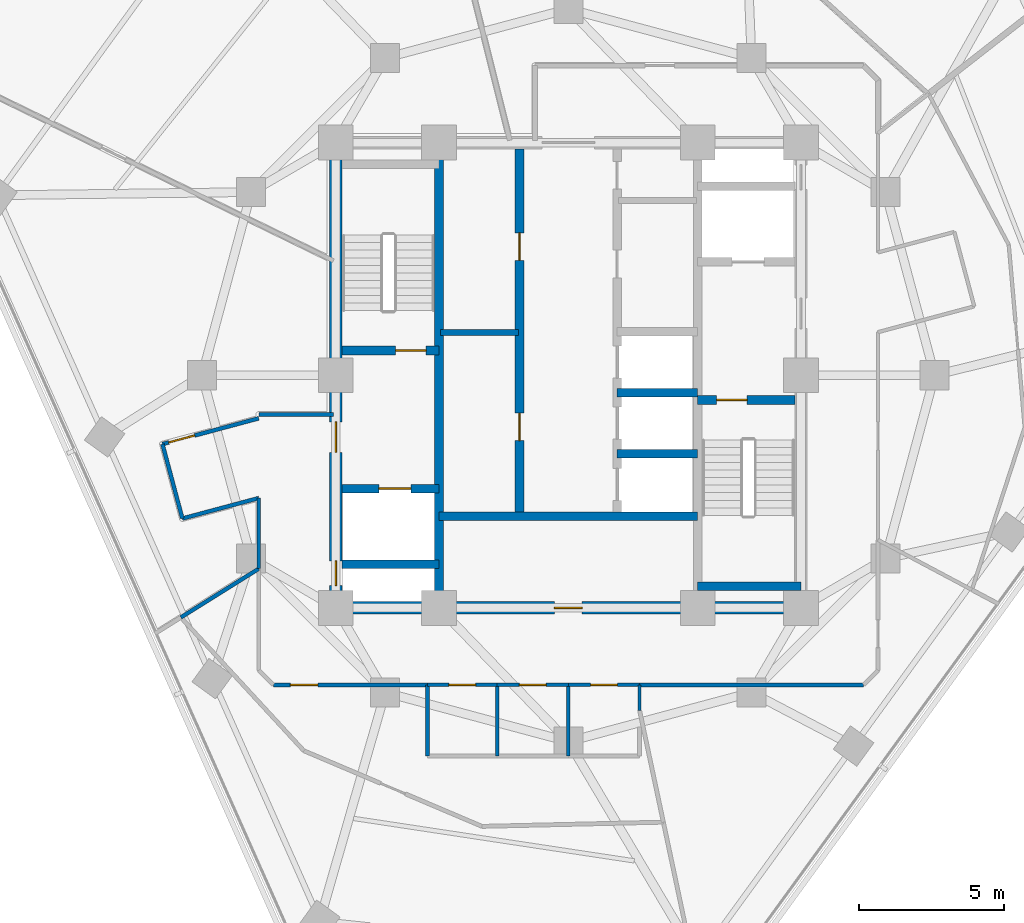
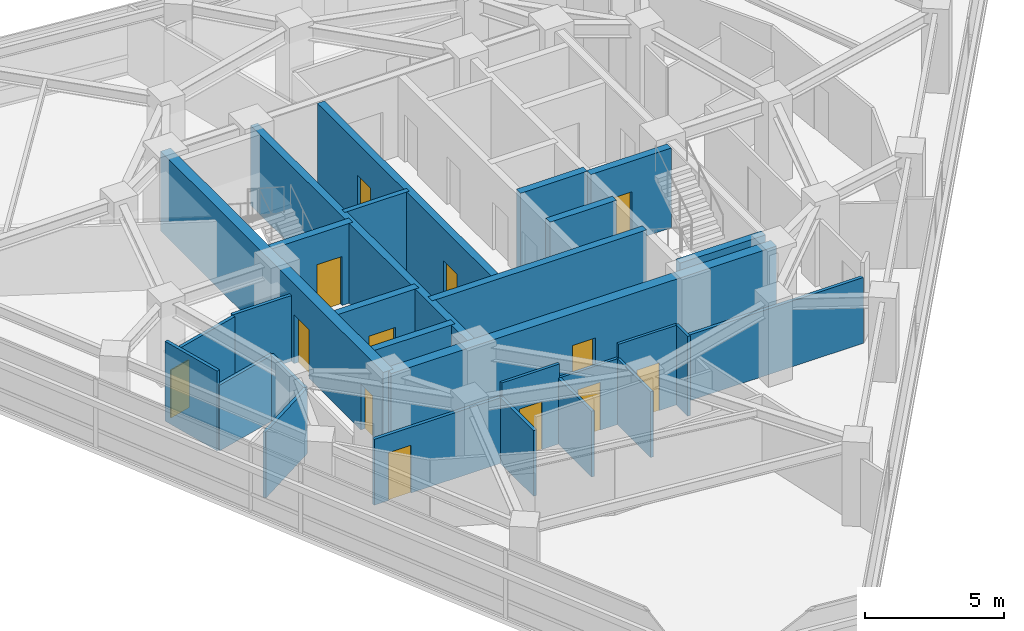
# One storey, part 8 of 14: 28 walls, 13 doors, 13 openings.
"""IFC4 building model written with IfcOpenShell, lengths in metres."""

import ifcopenshell
import ifcopenshell.guid

model = None  # the IFC model being written
_history = None  # IfcOwnerHistory: only IFC2X3 demands one
_inside = {}  # id of a spatial element -> (the spatial element, [elements in it])
_under = {}  # id of a project, library or spatial element -> (it, [spatial elements below it])
_declared = {}  # id of a project -> (the project, [libraries it declares])
_typed = {}  # id of a type object -> (the type object, [elements of that type])
_made_of = {}  # id of a material, layer set ... -> (it, [elements and type objects made of it])


def new_model(schema):
    """Start an empty IFC model of exactly this schema.

    Asked for "IFC4X3", IfcOpenShell would pick the latest addendum, in which some entities
    have other attributes; the version numbers below select the first issue.
    IFC2X3 requires an IfcOwnerHistory on every rooted entity: one is made here for all.
    """
    global model, _history
    if schema == "IFC4X3":
        model = ifcopenshell.file(schema_version=(4, 3, 0, 0))
    else:
        model = ifcopenshell.file(schema=schema)
    _inside.clear()
    _under.clear()
    _declared.clear()
    _typed.clear()
    _made_of.clear()
    _history = None
    if model.schema == "IFC2X3":
        org = make("IfcOrganization", Name="unknown")
        user = make(
            "IfcPersonAndOrganization",
            ThePerson=make("IfcPerson", FamilyName="unknown"),
            TheOrganization=org,
        )
        app = make(
            "IfcApplication",
            ApplicationDeveloper=org,
            Version="unknown",
            ApplicationFullName="unknown",
            ApplicationIdentifier="unknown",
        )
        _history = make(
            "IfcOwnerHistory",
            OwningUser=user,
            OwningApplication=app,
            ChangeAction="ADDED",
            CreationDate=0,
        )
    return model


def make(cls, **values):
    """One entity of the class cls with the attributes given. An attribute that is None is left unset."""
    return model.create_entity(
        cls, **{name: value for name, value in values.items() if value is not None}
    )


def rooted(cls, **values):
    """An entity with a GlobalId (a new one), such as an element, a storey or a relation."""
    return make(cls, GlobalId=ifcopenshell.guid.new(), OwnerHistory=_history, **values)


def si_unit(unit_type, name, prefix=None):
    """IfcSIUnit, for example si_unit("LENGTHUNIT", "METRE", prefix="MILLI")."""
    return make("IfcSIUnit", UnitType=unit_type, Prefix=prefix, Name=name)


def assignment(units):
    """IfcUnitAssignment: the units of a project."""
    return None if units is None else make("IfcUnitAssignment", Units=units)


def point(xyz):
    """IfcCartesianPoint."""
    return None if xyz is None else make("IfcCartesianPoint", Coordinates=xyz)


def direction(xyz):
    """IfcDirection."""
    return None if xyz is None else make("IfcDirection", DirectionRatios=xyz)


def frame(location, z_axis=None, x_axis=None):
    """IfcAxis2Placement3D, a coordinate frame: its origin and axes. An axis left out is left unset."""
    return make(
        "IfcAxis2Placement3D",
        Location=point(location),
        Axis=direction(z_axis),
        RefDirection=direction(x_axis),
    )


def frame_2d(location, x_axis=None):
    """IfcAxis2Placement2D, a coordinate frame in the plane: its origin and x axis."""
    return make(
        "IfcAxis2Placement2D", Location=point(location), RefDirection=direction(x_axis)
    )


def origin():
    """The frame at (0, 0, 0) with its axes left unset."""
    return frame((0.0, 0.0, 0.0))


def place(relative_to, where):
    """IfcLocalPlacement: puts the frame where relative to a parent placement (None: the world)."""
    return make(
        "IfcLocalPlacement", PlacementRelTo=relative_to, RelativePlacement=where
    )


def context(
    kind, dimensions, precision=None, world=None, true_north=None, identifier=None
):
    """IfcGeometricRepresentationContext, for example the 3D "Model" context."""
    return make(
        "IfcGeometricRepresentationContext",
        ContextIdentifier=identifier,
        ContextType=kind,
        CoordinateSpaceDimension=dimensions,
        Precision=precision,
        WorldCoordinateSystem=world,
        TrueNorth=true_north,
    )


def subcontext(parent, identifier, kind, view, scale=None):
    """IfcGeometricRepresentationSubContext, for example "Body" below "Model"."""
    return make(
        "IfcGeometricRepresentationSubContext",
        ContextIdentifier=identifier,
        ContextType=kind,
        ParentContext=parent,
        TargetScale=scale,
        TargetView=view,
    )


def project(units=None, contexts=None):
    """IfcProject with its units and contexts."""
    return rooted(
        "IfcProject",
        Name="project",
        RepresentationContexts=contexts,
        UnitsInContext=assignment(units),
    )


def spatial(cls, under=None, at=None, **own):
    """A site, building, storey or space (cls), placed at a placement, below another one or the project."""
    s = rooted(cls, ObjectPlacement=at, **own)
    if under is not None:
        _under.setdefault(under.id(), (under, []))[1].append(s)
    return s


def profile(cls, at=None, kind="AREA", **sizes):
    """A parametric profile (cls). Its sizes go by their IFC names, for example OverallWidth=200.0."""
    return make(cls, ProfileType=kind, Position=at, **sizes)


def rectangle(**sizes):
    """IfcRectangleProfileDef."""
    return profile("IfcRectangleProfileDef", **sizes)


def extrude(swept, where, along, depth):
    """IfcExtrudedAreaSolid: the profile swept, set in the frame where, extruded along a direction by depth."""
    return make(
        "IfcExtrudedAreaSolid",
        SweptArea=swept,
        Position=where,
        ExtrudedDirection=direction(along),
        Depth=depth,
    )


def shape(context_of_items, identifier, shape_type, items):
    """IfcShapeRepresentation: the items that make up one representation, for example the "Body"."""
    return make(
        "IfcShapeRepresentation",
        ContextOfItems=context_of_items,
        RepresentationIdentifier=identifier,
        RepresentationType=shape_type,
        Items=items,
    )


def material(Name=None, Category=None):
    """IfcMaterial."""
    return make("IfcMaterial", Name=Name, Category=Category)


def layer(
    of_material, thickness, ventilated=None, Name=None, Category=None, Priority=None
):
    """IfcMaterialLayer: one layer of a wall or slab, of a material (None: an air gap)."""
    return make(
        "IfcMaterialLayer",
        Material=of_material,
        LayerThickness=thickness,
        IsVentilated=ventilated,
        Name=Name,
        Category=Category,
        Priority=Priority,
    )


def layer_set(layers, Name=None):
    """IfcMaterialLayerSet."""
    return make("IfcMaterialLayerSet", MaterialLayers=layers, LayerSetName=Name)


def made_of(thing, what):
    """Note that an element or type object is made of a material, layer set ...; save() writes the relation."""
    if what is not None:
        _made_of.setdefault(what.id(), (what, []))[1].append(thing)
    return thing


def type_object(cls, material=None, **own):
    """A type object (cls), such as IfcWallType, which elements share."""
    return made_of(rooted(cls, **own), material)


def element(
    cls,
    number,
    at=None,
    inside=None,
    cuts=None,
    type_object=None,
    material=None,
    context=None,
    identifier="Body",
    shape_type=None,
    held_by="IfcProductDefinitionShape",
    body=None,
    shapes=None,
    **own,
):
    """One element of the class cls, such as IfcWall. Its Tag is "e" and its number.

    at: its placement. inside: the storey or other place that contains it. cuts: it is an
    opening in that element (IfcRelVoidsElement). A single representation is given by context,
    identifier, shape_type and body (its items); several are given by shapes. held_by: the class
    of the entity that holds the representations. save() writes the other relations.
    """
    e = rooted(cls, Tag="e%d" % number, ObjectPlacement=at, **own)
    if body is not None:
        shapes = [shape(context, identifier, shape_type, body)]
    if shapes is not None:
        e.Representation = make(held_by, Representations=shapes)
    if inside is not None:
        _inside.setdefault(inside.id(), (inside, []))[1].append(e)
    if cuts is not None:
        rooted(
            "IfcRelVoidsElement", RelatingBuildingElement=cuts, RelatedOpeningElement=e
        )
    if type_object is not None:
        _typed.setdefault(type_object.id(), (type_object, []))[1].append(e)
    return made_of(e, material)


def fill(opening, filler):
    """IfcRelFillsElement: the door or window that sits in an opening."""
    return rooted(
        "IfcRelFillsElement",
        RelatingOpeningElement=opening,
        RelatedBuildingElement=filler,
    )


def aggregate(whole, parts):
    """IfcRelAggregates: a whole, such as a stair, and the parts it consists of."""
    return rooted("IfcRelAggregates", RelatingObject=whole, RelatedObjects=parts)


def save(model, path):
    """Write the relations noted so far, then the file.

    IfcRelAggregates (storeys below a building ...), IfcRelContainedInSpatialStructure (elements
    in a storey), IfcRelDefinesByType, IfcRelAssociatesMaterial and IfcRelDeclares: one each for
    every whole, place, type object, material and project.
    """
    for whole, parts in _under.values():
        aggregate(whole, parts)
    for where, things in _inside.values():
        rooted(
            "IfcRelContainedInSpatialStructure",
            RelatedElements=things,
            RelatingStructure=where,
        )
    for kind, things in _typed.values():
        rooted("IfcRelDefinesByType", RelatedObjects=things, RelatingType=kind)
    for what, things in _made_of.values():
        rooted("IfcRelAssociatesMaterial", RelatedObjects=things, RelatingMaterial=what)
    for by, libraries in _declared.values():
        rooted("IfcRelDeclares", RelatingContext=by, RelatedDefinitions=libraries)
    model.write(path)


model = new_model("IFC4")

# Units and contexts
model_context = context("Model", 3, precision=1e-05, world=origin(), true_north=direction((0.0, 1.0)))
body_context = subcontext(model_context, "Body", "Model", "MODEL_VIEW")
ifc_project = project(units=[si_unit("LENGTHUNIT", "METRE"), si_unit("AREAUNIT", "SQUARE_METRE"), si_unit("VOLUMEUNIT", "CUBIC_METRE"), si_unit("PLANEANGLEUNIT", "RADIAN"), si_unit("MASSUNIT", "GRAM", prefix="KILO")], contexts=[model_context])

# Site, building, storey
site_placement = place(None, origin())
site = spatial("IfcSite", under=ifc_project, at=site_placement, CompositionType="ELEMENT")
building_placement = place(site_placement, origin())
building = spatial("IfcBuilding", under=site, at=building_placement, Name="Terralouvre Media Tower", CompositionType="ELEMENT")
storey_placement = place(building_placement, frame((0.0, 0.0, 218.89990234375)))
storey = spatial("IfcBuildingStorey", under=building, at=storey_placement, Name="L56", CompositionType="ELEMENT", Elevation=218.89990234375)

# Wall
ifc_material_1 = material(Name="Concrete C50/60", Category="concrete")
ifc_layer_1 = layer(ifc_material_1, 0.300048828125, Name="Core Internal Shaft Wall CW-300")
ifc_layer_set_1 = layer_set([ifc_layer_1], Name="Concrete C50/60")
wall_type_1 = type_object("IfcWallType", Name="Core Internal Shaft Wall CW-300", PredefinedType="SHEAR", material=ifc_layer_set_1)
wall_1_placement = place(storey_placement, frame((-4.449951171875, -7.7900390625, 0.0), z_axis=(0.0, 0.0, 1.0), x_axis=(0.0, 1.0, 0.0)))
element("IfcWall", 1, at=wall_1_placement, inside=storey, type_object=wall_type_1, Name="L56 Core Shaft Wall SPW", PredefinedType="SHEAR", context=body_context, shape_type="SweptSolid", body=[
    extrude(rectangle(XDim=15.580078125, YDim=0.300048828125, at=frame_2d((7.7900390625, 0.0))), origin(), (0.0, 0.0, 1.0), 3.5),
])

# Wall, opening, door
wall_2_placement = place(storey_placement, frame((-7.7900390625, 0.85009765625, 0.0), z_axis=(0.0, 0.0, 1.0), x_axis=(1.0, 0.0, 0.0)))
wall_2 = element("IfcWall", 2, at=wall_2_placement, inside=storey, type_object=wall_type_1, Name="L56 Core Shaft Wall ST1D", PredefinedType="SHEAR", context=body_context, shape_type="SweptSolid", body=[
    extrude(rectangle(XDim=3.340087890625, YDim=0.300048828125, at=frame_2d((1.669921875, 0.0))), origin(), (0.0, 0.0, 1.0), 3.5),
])
opening_1_placement = place(wall_2_placement, frame((1.85009765625, 0.0, 0.0)))
opening_1 = element("IfcOpeningElement", 3, at=opening_1_placement, cuts=wall_2, Name="Opening FD-01-105X215", PredefinedType="OPENING", context=body_context, shape_type="SweptSolid", body=[
    extrude(rectangle(XDim=1.050048828125, YDim=2.14990234375, at=frame_2d((0.52490234375, 1.074951171875))), frame((0.0, 0.159912109375, 0.0), z_axis=(0.0, -1.0, 0.0), x_axis=(1.0, 0.0, 0.0)), (0.0, 0.0, 1.0), 0.320068359375),
])
ifc_material_2 = material(Name="Galvanised steel fire-resisting leaf", Category="steel")
door_type_1 = type_object("IfcDoorType", Name="Stair and Firefighting Lobby Fire Door FD-01 (1050x2150)", OperationType="NOTDEFINED", PredefinedType="DOOR", material=ifc_material_2)
door_1_placement = place(opening_1_placement, origin())
door_1 = element("IfcDoor", 4, at=door_1_placement, inside=storey, type_object=door_type_1, Name="L56 ST-01 Exit Stair Door", OperationType="SINGLE_SWING_LEFT", OverallHeight=2.14990234375, OverallWidth=1.050048828125, PredefinedType="DOOR", context=body_context, shape_type="SweptSolid", body=[
    extrude(rectangle(XDim=1.050048828125, YDim=2.14990234375, at=frame_2d((0.52490234375, 1.074951171875))), frame((0.0, 0.02490234375, 0.0), z_axis=(0.0, -1.0, 0.0), x_axis=(1.0, 0.0, 0.0)), (0.0, 0.0, 1.0), 0.050048828125),
])
fill(opening_1, door_1)

wall_3_placement = place(storey_placement, frame((4.449951171875, -0.85009765625, 0.0), z_axis=(0.0, 0.0, 1.0), x_axis=(1.0, 0.0, 0.0)))
wall_3 = element("IfcWall", 5, at=wall_3_placement, inside=storey, type_object=wall_type_1, Name="L56 Core Shaft Wall ST2D", PredefinedType="SHEAR", context=body_context, shape_type="SweptSolid", body=[
    extrude(rectangle(XDim=3.340087890625, YDim=0.300048828125, at=frame_2d((1.669921875, 0.0))), origin(), (0.0, 0.0, 1.0), 3.5),
])
opening_2_placement = place(wall_3_placement, frame((0.64990234375, 0.0, 0.0)))
opening_2 = element("IfcOpeningElement", 6, at=opening_2_placement, cuts=wall_3, Name="Opening FD-01-105X215", PredefinedType="OPENING", context=body_context, shape_type="SweptSolid", body=[
    extrude(rectangle(XDim=1.050048828125, YDim=2.14990234375, at=frame_2d((0.52490234375, 1.074951171875))), frame((0.0, 0.159912109375, 0.0), z_axis=(0.0, -1.0, 0.0), x_axis=(1.0, 0.0, 0.0)), (0.0, 0.0, 1.0), 0.320068359375),
])
door_2_placement = place(opening_2_placement, origin())
door_2 = element("IfcDoor", 7, at=door_2_placement, inside=storey, type_object=door_type_1, Name="L56 ST-02 Exit Stair Door", OperationType="SINGLE_SWING_RIGHT", OverallHeight=2.14990234375, OverallWidth=1.050048828125, PredefinedType="DOOR", context=body_context, shape_type="SweptSolid", body=[
    extrude(rectangle(XDim=1.050048828125, YDim=2.14990234375, at=frame_2d((0.52490234375, 1.074951171875))), frame((0.0, 0.02490234375, 0.0), z_axis=(0.0, -1.0, 0.0), x_axis=(1.0, 0.0, 0.0)), (0.0, 0.0, 1.0), 0.050048828125),
])
fill(opening_2, door_2)

# Wall
wall_4_placement = place(storey_placement, frame((4.449951171875, -7.260009765625, 0.0), z_axis=(0.0, 0.0, 1.0), x_axis=(1.0, 0.0, 0.0)))
element("IfcWall", 8, at=wall_4_placement, inside=storey, type_object=wall_type_1, Name="L56 Core Shaft Wall ST2F", PredefinedType="SHEAR", context=body_context, shape_type="SweptSolid", body=[
    extrude(rectangle(XDim=3.550048828125, YDim=0.300048828125, at=frame_2d((1.77490234375, 0.0))), origin(), (0.0, 0.0, 1.0), 3.5),
])

# Wall, opening, door
wall_5_placement = place(storey_placement, frame((-7.7900390625, -3.89990234375, 0.0), z_axis=(0.0, 0.0, 1.0), x_axis=(1.0, 0.0, 0.0)))
wall_5 = element("IfcWall", 9, at=wall_5_placement, inside=storey, type_object=wall_type_1, Name="L56 Core Shaft Wall FF1N", PredefinedType="SHEAR", context=body_context, shape_type="SweptSolid", body=[
    extrude(rectangle(XDim=3.340087890625, YDim=0.300048828125, at=frame_2d((1.669921875, 0.0))), origin(), (0.0, 0.0, 1.0), 3.5),
])
opening_3_placement = place(wall_5_placement, frame((1.27001953125, 0.0, 0.0)))
opening_3 = element("IfcOpeningElement", 10, at=opening_3_placement, cuts=wall_5, Name="Opening LD-FF", PredefinedType="OPENING", context=body_context, shape_type="SweptSolid", body=[
    extrude(rectangle(XDim=1.10009765625, YDim=2.10009765625, at=frame_2d((0.550048828125, 1.050048828125))), frame((0.0, 0.159912109375, 0.0), z_axis=(0.0, -1.0, 0.0), x_axis=(1.0, 0.0, 0.0)), (0.0, 0.0, 1.0), 0.320068359375),
])
ifc_material_3 = material(Name="Stainless steel 316 handrail and balustrade", Category="steel")
door_type_2 = type_object("IfcDoorType", Name="Firefighting Lift Sliding Landing Door LD-FF", OperationType="SLIDING_TO_LEFT", PredefinedType="DOOR", material=ifc_material_3)
door_3_placement = place(opening_3_placement, origin())
door_3 = element("IfcDoor", 11, at=door_3_placement, inside=storey, type_object=door_type_2, Name="L56 Firefighting Lift FFL-01 Landing Door", OperationType="SLIDING_TO_LEFT", OverallHeight=2.10009765625, OverallWidth=1.10009765625, PredefinedType="DOOR", context=body_context, shape_type="SweptSolid", body=[
    extrude(rectangle(XDim=1.10009765625, YDim=2.10009765625, at=frame_2d((0.550048828125, 1.050048828125))), frame((0.0, 0.02490234375, 0.0), z_axis=(0.0, -1.0, 0.0), x_axis=(1.0, 0.0, 0.0)), (0.0, 0.0, 1.0), 0.050048828125),
])
fill(opening_3, door_3)

# Walls
wall_6_placement = place(storey_placement, frame((-7.7900390625, -6.5, 0.0), z_axis=(0.0, 0.0, 1.0), x_axis=(1.0, 0.0, 0.0)))
element("IfcWall", 12, at=wall_6_placement, inside=storey, type_object=wall_type_1, Name="L56 Core Shaft Wall FF1S", PredefinedType="SHEAR", context=body_context, shape_type="SweptSolid", body=[
    extrude(rectangle(XDim=3.340087890625, YDim=0.300048828125, at=frame_2d((1.669921875, 0.0))), origin(), (0.0, 0.0, 1.0), 3.5),
])
wall_7_placement = place(storey_placement, frame((-4.449951171875, -4.85009765625, 0.0), z_axis=(0.0, 0.0, 1.0), x_axis=(1.0, 0.0, 0.0)))
element("IfcWall", 13, at=wall_7_placement, inside=storey, type_object=wall_type_1, Name="L56 Core Shaft Wall CSBN", PredefinedType="SHEAR", context=body_context, shape_type="SweptSolid", body=[
    extrude(rectangle(XDim=8.89990234375, YDim=0.300048828125, at=frame_2d((4.449951171875, 0.0))), origin(), (0.0, 0.0, 1.0), 3.5),
])

# Wall, openings, doors
wall_8_placement = place(storey_placement, frame((-1.679931640625, -4.85009765625, 0.0), z_axis=(0.0, 0.0, 1.0), x_axis=(0.0, 1.0, 0.0)))
wall_8 = element("IfcWall", 14, at=wall_8_placement, inside=storey, type_object=wall_type_1, Name="L56 Core Shaft Wall LBW", PredefinedType="SHEAR", context=body_context, shape_type="SweptSolid", body=[
    extrude(rectangle(XDim=12.64013671875, YDim=0.300048828125, at=frame_2d((6.320068359375, 0.0))), origin(), (0.0, 0.0, 1.0), 3.5),
])
opening_4_placement = place(wall_8_placement, frame((2.60009765625, 0.0, 0.0)))
opening_4 = element("IfcOpeningElement", 15, at=opening_4_placement, cuts=wall_8, Name="Opening FD-02-95X210", PredefinedType="OPENING", context=body_context, shape_type="SweptSolid", body=[
    extrude(rectangle(XDim=0.949951171875, YDim=2.10009765625, at=frame_2d((0.47509765625, 1.050048828125))), frame((0.0, 0.159912109375, 0.0), z_axis=(0.0, -1.0, 0.0), x_axis=(1.0, 0.0, 0.0)), (0.0, 0.0, 1.0), 0.320068359375),
])
opening_5_placement = place(wall_8_placement, frame((8.800048828125, 0.0, 0.0)))
opening_5 = element("IfcOpeningElement", 16, at=opening_5_placement, cuts=wall_8, Name="Opening FD-04-95X210", PredefinedType="OPENING", context=body_context, shape_type="SweptSolid", body=[
    extrude(rectangle(XDim=0.949951171875, YDim=2.10009765625, at=frame_2d((0.47509765625, 1.050048828125))), frame((0.0, 0.159912109375, 0.0), z_axis=(0.0, -1.0, 0.0), x_axis=(1.0, 0.0, 0.0)), (0.0, 0.0, 1.0), 0.320068359375),
])
ifc_material_4 = material(Name="Galvanised steel fire-resisting leaf", Category="steel")
door_type_3 = type_object("IfcDoorType", Name="Core Store and Service Fire Door FD-04 (950x2100)", OperationType="NOTDEFINED", PredefinedType="DOOR", material=ifc_material_4)
door_4_placement = place(opening_5_placement, origin())
door_4 = element("IfcDoor", 17, at=door_4_placement, inside=storey, type_object=door_type_3, Name="L56 Core Linen Store Door", OperationType="SINGLE_SWING_RIGHT", OverallHeight=2.10009765625, OverallWidth=0.949951171875, PredefinedType="DOOR", context=body_context, shape_type="SweptSolid", body=[
    extrude(rectangle(XDim=0.949951171875, YDim=2.10009765625, at=frame_2d((0.47509765625, 1.050048828125))), frame((0.0, 0.02490234375, 0.0), z_axis=(0.0, -1.0, 0.0), x_axis=(1.0, 0.0, 0.0)), (0.0, 0.0, 1.0), 0.050048828125),
])
fill(opening_5, door_4)
ifc_material_5 = material(Name="Galvanised steel fire-resisting leaf", Category="steel")
door_type_4 = type_object("IfcDoorType", Name="Plant and Riser Fire Door FD-02 (950x2100)", OperationType="NOTDEFINED", PredefinedType="DOOR", material=ifc_material_5)
door_5_placement = place(opening_4_placement, origin())
door_5 = element("IfcDoor", 18, at=door_5_placement, inside=storey, type_object=door_type_4, Name="L56 Core Fibre Patch Plant Door", OperationType="SINGLE_SWING_LEFT", OverallHeight=2.10009765625, OverallWidth=0.949951171875, PredefinedType="DOOR", context=body_context, shape_type="SweptSolid", body=[
    extrude(rectangle(XDim=0.949951171875, YDim=2.10009765625, at=frame_2d((0.47509765625, 1.050048828125))), frame((0.0, 0.02490234375, 0.0), z_axis=(0.0, -1.0, 0.0), x_axis=(1.0, 0.0, 0.0)), (0.0, 0.0, 1.0), 0.050048828125),
])
fill(opening_4, door_5)

# Walls
for number, where, z_axis, x_axis, name in (
    (19, (1.679931640625, -2.699951171875, 0.0), (0.0, 0.0, 1.0), (1.0, 0.0, 0.0), "L56 Core Shaft Wall PLHD1"),
    (20, (1.679931640625, -0.60009765625, 0.0), (0.0, 0.0, 1.0), (1.0, 0.0, 0.0), "L56 Core Shaft Wall PLHD2"),
):
    element("IfcWall", number, at=place(storey_placement, frame(where, z_axis=z_axis, x_axis=x_axis)), inside=storey, type_object=wall_type_1, Name=name, PredefinedType="SHEAR", context=body_context, shape_type="SweptSolid", body=[
        extrude(rectangle(XDim=2.77001953125, YDim=0.300048828125, at=frame_2d((1.385009765625, 0.0))), origin(), (0.0, 0.0, 1.0), 3.5),
    ])

# Wall, openings, doors
ifc_material_6 = material(Name="Concrete C60/75", Category="concrete")
ifc_layer_2 = layer(ifc_material_6, 0.419921875, Name="Core Reinforced Concrete Shear Wall CW-420")
ifc_layer_set_2 = layer_set([ifc_layer_2], Name="Concrete C60/75")
wall_type_2 = type_object("IfcWallType", Name="Core Reinforced Concrete Shear Wall CW-420", PredefinedType="SHEAR", material=ifc_layer_set_2)
wall_9_placement = place(storey_placement, frame((-8.0, -8.0, 0.0), z_axis=(0.0, 0.0, 1.0), x_axis=(0.0, 1.0, 0.0)))
wall_9 = element("IfcWall", 21, at=wall_9_placement, inside=storey, type_object=wall_type_2, Name="L56 W Core Shear Wall", PredefinedType="SHEAR", context=body_context, shape_type="SweptSolid", body=[
    extrude(rectangle(XDim=16.0, YDim=0.419921875, at=frame_2d((8.0, 0.0))), origin(), (0.0, 0.0, 1.0), 3.5),
])
opening_6_placement = place(wall_9_placement, frame((0.76123046875, 0.0, 0.0)))
opening_6 = element("IfcOpeningElement", 22, at=opening_6_placement, cuts=wall_9, Name="Opening TD-R1", PredefinedType="OPENING", context=body_context, shape_type="SweptSolid", body=[
    extrude(rectangle(XDim=0.85009765625, YDim=2.02001953125, at=frame_2d((0.425048828125, 1.010009765625))), frame((0.0, 0.219970703125, 0.0), z_axis=(0.0, -1.0, 0.0), x_axis=(1.0, 0.0, 0.0)), (0.0, 0.0, 1.0), 0.43994140625),
])
opening_7_placement = place(wall_9_placement, frame((5.35009765625, 0.0, 0.0)))
opening_7 = element("IfcOpeningElement", 23, at=opening_7_placement, cuts=wall_9, Name="Opening FD-01-105X215", PredefinedType="OPENING", context=body_context, shape_type="SweptSolid", body=[
    extrude(rectangle(XDim=1.050048828125, YDim=2.14990234375, at=frame_2d((0.52490234375, 1.074951171875))), frame((0.0, 0.219970703125, 0.0), z_axis=(0.0, -1.0, 0.0), x_axis=(1.0, 0.0, 0.0)), (0.0, 0.0, 1.0), 0.43994140625),
])
ifc_material_7 = material(Name="Galvanised steel fire-resisting leaf", Category="steel")
door_type_5 = type_object("IfcDoorType", Name="Riser Inspection Access Trapdoor TD-R1", OperationType="NOTDEFINED", PredefinedType="TRAPDOOR", material=ifc_material_7)
door_6_placement = place(opening_6_placement, origin())
door_6 = element("IfcDoor", 24, at=door_6_placement, inside=storey, type_object=door_type_5, Name="L56 Wet Riser Access Trapdoor", OperationType="SINGLE_SWING_LEFT", OverallHeight=2.02001953125, OverallWidth=0.85009765625, PredefinedType="TRAPDOOR", context=body_context, shape_type="SweptSolid", body=[
    extrude(rectangle(XDim=0.85009765625, YDim=2.02001953125, at=frame_2d((0.425048828125, 1.010009765625))), frame((0.0, 0.02490234375, 0.0), z_axis=(0.0, -1.0, 0.0), x_axis=(1.0, 0.0, 0.0)), (0.0, 0.0, 1.0), 0.050048828125),
])
fill(opening_6, door_6)
door_7_placement = place(opening_7_placement, origin())
door_7 = element("IfcDoor", 25, at=door_7_placement, inside=storey, type_object=door_type_1, Name="L56 West Firefighting Lobby Entry Door", OperationType="SINGLE_SWING_RIGHT", OverallHeight=2.14990234375, OverallWidth=1.050048828125, PredefinedType="DOOR", context=body_context, shape_type="SweptSolid", body=[
    extrude(rectangle(XDim=1.050048828125, YDim=2.14990234375, at=frame_2d((0.52490234375, 1.074951171875))), frame((0.0, 0.02490234375, 0.0), z_axis=(0.0, -1.0, 0.0), x_axis=(1.0, 0.0, 0.0)), (0.0, 0.0, 1.0), 0.050048828125),
])
fill(opening_7, door_7)

# Wall, opening, door
wall_10_placement = place(storey_placement, frame((-8.0, -8.0, 0.0), z_axis=(0.0, 0.0, 1.0), x_axis=(1.0, 0.0, 0.0)))
wall_10 = element("IfcWall", 26, at=wall_10_placement, inside=storey, type_object=wall_type_2, Name="L56 S Core Shear Wall", PredefinedType="SHEAR", context=body_context, shape_type="SweptSolid", body=[
    extrude(rectangle(XDim=16.0, YDim=0.419921875, at=frame_2d((8.0, 0.0))), origin(), (0.0, 0.0, 1.0), 3.5),
])
opening_8_placement = place(wall_10_placement, frame((7.52001953125, 0.0, 0.0)))
opening_8 = element("IfcOpeningElement", 27, at=opening_8_placement, cuts=wall_10, Name="Opening FD-02-95X210", PredefinedType="OPENING", context=body_context, shape_type="SweptSolid", body=[
    extrude(rectangle(XDim=0.949951171875, YDim=2.10009765625, at=frame_2d((0.47509765625, 1.050048828125))), frame((0.0, 0.219970703125, 0.0), z_axis=(0.0, -1.0, 0.0), x_axis=(1.0, 0.0, 0.0)), (0.0, 0.0, 1.0), 0.43994140625),
])
door_8_placement = place(opening_8_placement, origin())
door_8 = element("IfcDoor", 28, at=door_8_placement, inside=storey, type_object=door_type_4, Name="L56 Core Switchgear Plant Door", OperationType="SINGLE_SWING_LEFT", OverallHeight=2.10009765625, OverallWidth=0.949951171875, PredefinedType="DOOR", context=body_context, shape_type="SweptSolid", body=[
    extrude(rectangle(XDim=0.949951171875, YDim=2.10009765625, at=frame_2d((0.47509765625, 1.050048828125))), frame((0.0, 0.02490234375, 0.0), z_axis=(0.0, -1.0, 0.0), x_axis=(1.0, 0.0, 0.0)), (0.0, 0.0, 1.0), 0.050048828125),
])
fill(opening_8, door_8)

# Walls
ifc_material_8 = material(Name="Fire-rated gypsum board drywall partition")
ifc_layer_3 = layer(ifc_material_8, 0.199951171875, Name="Fire-Rated Shaft and Lobby Partition FW-200")
ifc_layer_set_3 = layer_set([ifc_layer_3], Name="Fire-rated gypsum board drywall partition")
wall_type_3 = type_object("IfcWallType", Name="Fire-Rated Shaft and Lobby Partition FW-200", PredefinedType="SOLIDWALL", material=ifc_layer_set_3)
wall_11_placement = place(storey_placement, frame((-4.39990234375, 1.469970703125, 0.0), z_axis=(0.0, 0.0, 1.0), x_axis=(1.0, 0.0, 0.0)))
element("IfcWall", 29, at=wall_11_placement, inside=storey, type_object=wall_type_3, Name="L56 Core West Sub-Partition 1", PredefinedType="SOLIDWALL", context=body_context, shape_type="SweptSolid", body=[
    extrude(rectangle(XDim=2.679931640625, YDim=0.199951171875, at=frame_2d((1.33984375, 0.0))), origin(), (0.0, 0.0, 1.0), 3.5),
])
ifc_material_9 = material(Name="Fire-rated gypsum board drywall partition")
ifc_layer_4 = layer(ifc_material_9, 0.135009765625, Name="Newsroom Acoustic Partition PT-135")
ifc_layer_set_4 = layer_set([ifc_layer_4], Name="Fire-rated gypsum board drywall partition")
wall_type_4 = type_object("IfcWallType", Name="Newsroom Acoustic Partition PT-135", PredefinedType="PARTITIONING", material=ifc_layer_set_4)
wall_12_placement = place(storey_placement, frame((-8.080078125, -1.35009765625, 0.0), z_axis=(0.0, 0.0, 1.0), x_axis=(-1.0, 0.0, 0.0)))
element("IfcWall", 30, at=wall_12_placement, inside=storey, type_object=wall_type_4, Name="L56 Interior Partition 001", PredefinedType="PARTITIONING", context=body_context, shape_type="SweptSolid", body=[
    extrude(rectangle(XDim=2.56982421875, YDim=0.135009765625, at=frame_2d((1.284912109375, 0.0))), origin(), (0.0, 0.0, 1.0), 2.885009765625),
])

# Wall, opening, door
wall_13_placement = place(storey_placement, frame((-10.64990234375, -1.48193359375, 0.0), z_axis=(0.0, 0.0, 1.0), x_axis=(-0.965961397105, -0.2586862565, 0.0)))
wall_13 = element("IfcWall", 31, at=wall_13_placement, inside=storey, type_object=wall_type_4, Name="L56 Interior Partition 002", PredefinedType="PARTITIONING", context=body_context, shape_type="SweptSolid", body=[
    extrude(rectangle(XDim=3.4287109375, YDim=0.135009765625, at=frame_2d((1.71435546875, 0.0))), origin(), (0.0, 0.0, 1.0), 2.885009765625),
])
opening_9_placement = place(wall_13_placement, frame((2.282958984375, 0.0, 0.0)))
opening_9 = element("IfcOpeningElement", 32, at=opening_9_placement, cuts=wall_13, Name="Opening ID-03-92X210", PredefinedType="OPENING", context=body_context, shape_type="SweptSolid", body=[
    extrude(rectangle(XDim=0.919921875, YDim=2.10009765625, at=frame_2d((0.4599609375, 1.050048828125))), frame((0.0, 0.077392578125, 0.0), z_axis=(0.0, -1.0, 0.0), x_axis=(1.0, 0.0, 0.0)), (0.0, 0.0, 1.0), 0.155029296875),
])
ifc_material_10 = material(Name="Engineered hardwood acoustic timber leaf", Category="wood")
door_type_6 = type_object("IfcDoorType", Name="Accessible Restroom and Suite Door ID-03 (920x2100)", OperationType="NOTDEFINED", PredefinedType="DOOR", material=ifc_material_10)
door_9_placement = place(opening_9_placement, origin())
door_9 = element("IfcDoor", 33, at=door_9_placement, inside=storey, type_object=door_type_6, Name="L56 Executive Dining Room 1 Door", OperationType="SINGLE_SWING_RIGHT", OverallHeight=2.10009765625, OverallWidth=0.919921875, PredefinedType="DOOR", context=body_context, shape_type="SweptSolid", body=[
    extrude(rectangle(XDim=0.919921875, YDim=2.10009765625, at=frame_2d((0.4599609375, 1.050048828125))), frame((0.0, 0.02490234375, 0.0), z_axis=(0.0, -1.0, 0.0), x_axis=(1.0, 0.0, 0.0)), (0.0, 0.0, 1.0), 0.050048828125),
])
fill(opening_9, door_9)

# Walls
wall_14_placement = place(storey_placement, frame((-13.9619140625, -2.368896484375, 0.0), z_axis=(0.0, 0.0, 1.0), x_axis=(0.258413725385, -0.966034340245, 0.0)))
element("IfcWall", 34, at=wall_14_placement, inside=storey, type_object=wall_type_4, Name="L56 Interior Partition 003", PredefinedType="PARTITIONING", context=body_context, shape_type="SweptSolid", body=[
    extrude(rectangle(XDim=2.650146484375, YDim=0.135009765625, at=frame_2d((1.3251953125, 0.0))), origin(), (0.0, 0.0, 1.0), 3.5),
])
wall_15_placement = place(storey_placement, frame((-13.277099609375, -4.928955078125, 0.0), z_axis=(0.0, 0.0, 1.0), x_axis=(0.965934830229, 0.258785439601, 0.0)))
element("IfcWall", 35, at=wall_15_placement, inside=storey, type_object=wall_type_4, Name="L56 Interior Partition 004", PredefinedType="PARTITIONING", context=body_context, shape_type="SweptSolid", body=[
    extrude(rectangle(XDim=2.719970703125, YDim=0.135009765625, at=frame_2d((1.35986328125, 0.0))), origin(), (0.0, 0.0, 1.0), 2.885009765625),
])
wall_16_placement = place(storey_placement, frame((-10.64990234375, -4.22509765625, 0.0), z_axis=(0.0, 0.0, 1.0), x_axis=(0.0, -1.0, 0.0)))
element("IfcWall", 36, at=wall_16_placement, inside=storey, type_object=wall_type_4, Name="L56 Interior Partition 005", PredefinedType="PARTITIONING", context=body_context, shape_type="SweptSolid", body=[
    extrude(rectangle(XDim=2.429931640625, YDim=0.135009765625, at=frame_2d((1.21484375, 0.0))), origin(), (0.0, 0.0, 1.0), 2.885009765625),
])

# Wall, opening, door
wall_17_placement = place(storey_placement, frame((-10.14990234375, -10.64990234375, 0.0), z_axis=(0.0, 0.0, 1.0), x_axis=(1.0, 0.0, 0.0)))
wall_17 = element("IfcWall", 37, at=wall_17_placement, inside=storey, type_object=wall_type_4, Name="L56 Interior Partition 013", PredefinedType="PARTITIONING", context=body_context, shape_type="SweptSolid", body=[
    extrude(rectangle(XDim=5.2998046875, YDim=0.135009765625, at=frame_2d((2.64990234375, 0.0))), origin(), (0.0, 0.0, 1.0), 2.885009765625),
])
opening_10_placement = place(wall_17_placement, frame((0.5849609375, 0.0, 0.0)))
opening_10 = element("IfcOpeningElement", 38, at=opening_10_placement, cuts=wall_17, Name="Opening ID-02-95X210", PredefinedType="OPENING", context=body_context, shape_type="SweptSolid", body=[
    extrude(rectangle(XDim=0.949951171875, YDim=2.10009765625, at=frame_2d((0.47509765625, 1.050048828125))), frame((0.0, 0.077392578125, 0.0), z_axis=(0.0, -1.0, 0.0), x_axis=(1.0, 0.0, 0.0)), (0.0, 0.0, 1.0), 0.155029296875),
])
ifc_material_11 = material(Name="Engineered hardwood acoustic timber leaf", Category="wood")
door_type_7 = type_object("IfcDoorType", Name="Office and Meeting Room Door ID-02 (950x2100)", OperationType="NOTDEFINED", PredefinedType="DOOR", material=ifc_material_11)
door_10_placement = place(opening_10_placement, origin())
door_10 = element("IfcDoor", 39, at=door_10_placement, inside=storey, type_object=door_type_7, Name="L56 Sealed Legal Archive Storage 3 Door", OperationType="SINGLE_SWING_RIGHT", OverallHeight=2.10009765625, OverallWidth=0.949951171875, PredefinedType="DOOR", context=body_context, shape_type="SweptSolid", body=[
    extrude(rectangle(XDim=0.949951171875, YDim=2.10009765625, at=frame_2d((0.47509765625, 1.050048828125))), frame((0.0, 0.02490234375, 0.0), z_axis=(0.0, -1.0, 0.0), x_axis=(1.0, 0.0, 0.0)), (0.0, 0.0, 1.0), 0.050048828125),
])
fill(opening_10, door_10)

# Walls
wall_18_placement = place(storey_placement, frame((2.449951171875, -10.64990234375, 0.0), z_axis=(0.0, 0.0, 1.0), x_axis=(1.0, 0.0, 0.0)))
element("IfcWall", 40, at=wall_18_placement, inside=storey, type_object=wall_type_4, Name="L56 Interior Partition 017", PredefinedType="PARTITIONING", context=body_context, shape_type="SweptSolid", body=[
    extrude(rectangle(XDim=7.699951171875, YDim=0.135009765625, at=frame_2d((3.85009765625, 0.0))), origin(), (0.0, 0.0, 1.0), 2.885009765625),
])
wall_19_placement = place(storey_placement, frame((-13.3291015625, -8.3291015625, 0.0), z_axis=(0.0, 0.0, 1.0), x_axis=(0.848059079617, 0.529901686617, 0.0)))
element("IfcWall", 41, at=wall_19_placement, inside=storey, type_object=wall_type_4, Name="L56 Interior Partition 024", PredefinedType="PARTITIONING", context=body_context, shape_type="SweptSolid", body=[
    extrude(rectangle(XDim=3.1591796875, YDim=0.135009765625, at=frame_2d((1.57958984375, 0.0))), origin(), (0.0, 0.0, 1.0), 2.885009765625),
])
wall_20_placement = place(storey_placement, frame((-4.85009765625, -13.10009765625, 0.0), z_axis=(0.0, 0.0, 1.0), x_axis=(0.0, 1.0, 0.0)))
element("IfcWall", 42, at=wall_20_placement, inside=storey, type_object=wall_type_4, Name="L56 Interior Partition 033", PredefinedType="PARTITIONING", context=body_context, shape_type="SweptSolid", body=[
    extrude(rectangle(XDim=2.4501953125, YDim=0.135009765625, at=frame_2d((1.22509765625, 0.0))), origin(), (0.0, 0.0, 1.0), 2.885009765625),
])

# Wall, opening, door
ifc_material_12 = material(Name="Fire-rated gypsum board drywall partition")
ifc_layer_5 = layer(ifc_material_12, 0.114990234375, Name="Restroom and Pantry Partition PT-115")
ifc_layer_set_5 = layer_set([ifc_layer_5], Name="Fire-rated gypsum board drywall partition")
wall_type_5 = type_object("IfcWallType", Name="Restroom and Pantry Partition PT-115", PredefinedType="PARTITIONING", material=ifc_layer_set_5)
wall_21_placement = place(storey_placement, frame((-4.85009765625, -10.64990234375, 0.0), z_axis=(0.0, 0.0, 1.0), x_axis=(1.0, 0.0, 0.0)))
wall_21 = element("IfcWall", 43, at=wall_21_placement, inside=storey, type_object=wall_type_5, Name="L56 Interior Partition 014", PredefinedType="PARTITIONING", context=body_context, shape_type="SweptSolid", body=[
    extrude(rectangle(XDim=2.400146484375, YDim=0.114990234375, at=frame_2d((1.2001953125, 0.0))), origin(), (0.0, 0.0, 1.0), 3.5),
])
opening_11_placement = place(wall_21_placement, frame((0.739990234375, 0.0, 0.0)))
opening_11 = element("IfcOpeningElement", 44, at=opening_11_placement, cuts=wall_21, Name="Opening ID-03-92X210", PredefinedType="OPENING", context=body_context, shape_type="SweptSolid", body=[
    extrude(rectangle(XDim=0.919921875, YDim=2.10009765625, at=frame_2d((0.4599609375, 1.050048828125))), frame((0.0, 0.0673828125, 0.0), z_axis=(0.0, -1.0, 0.0), x_axis=(1.0, 0.0, 0.0)), (0.0, 0.0, 1.0), 0.135009765625),
])
door_11_placement = place(opening_11_placement, origin())
door_11 = element("IfcDoor", 45, at=door_11_placement, inside=storey, type_object=door_type_6, Name="L56 Male Restroom WC Door", OperationType="SINGLE_SWING_LEFT", OverallHeight=2.10009765625, OverallWidth=0.919921875, PredefinedType="DOOR", context=body_context, shape_type="SweptSolid", body=[
    extrude(rectangle(XDim=0.919921875, YDim=2.10009765625, at=frame_2d((0.4599609375, 1.050048828125))), frame((0.0, 0.02490234375, 0.0), z_axis=(0.0, -1.0, 0.0), x_axis=(1.0, 0.0, 0.0)), (0.0, 0.0, 1.0), 0.050048828125),
])
fill(opening_11, door_11)

wall_22_placement = place(storey_placement, frame((-2.449951171875, -10.64990234375, 0.0), z_axis=(0.0, 0.0, 1.0), x_axis=(1.0, 0.0, 0.0)))
wall_22 = element("IfcWall", 46, at=wall_22_placement, inside=storey, type_object=wall_type_5, Name="L56 Interior Partition 015", PredefinedType="PARTITIONING", context=body_context, shape_type="SweptSolid", body=[
    extrude(rectangle(XDim=2.449951171875, YDim=0.114990234375, at=frame_2d((1.22509765625, 0.0))), origin(), (0.0, 0.0, 1.0), 2.885009765625),
])
opening_12_placement = place(wall_22_placement, frame((0.764892578125, 0.0, 0.0)))
opening_12 = element("IfcOpeningElement", 47, at=opening_12_placement, cuts=wall_22, Name="Opening ID-03-92X210", PredefinedType="OPENING", context=body_context, shape_type="SweptSolid", body=[
    extrude(rectangle(XDim=0.919921875, YDim=2.10009765625, at=frame_2d((0.4599609375, 1.050048828125))), frame((0.0, 0.0673828125, 0.0), z_axis=(0.0, -1.0, 0.0), x_axis=(1.0, 0.0, 0.0)), (0.0, 0.0, 1.0), 0.135009765625),
])
door_12_placement = place(opening_12_placement, origin())
door_12 = element("IfcDoor", 48, at=door_12_placement, inside=storey, type_object=door_type_6, Name="L56 Female Restroom WC Door", OperationType="SINGLE_SWING_RIGHT", OverallHeight=2.10009765625, OverallWidth=0.919921875, PredefinedType="DOOR", context=body_context, shape_type="SweptSolid", body=[
    extrude(rectangle(XDim=0.919921875, YDim=2.10009765625, at=frame_2d((0.4599609375, 1.050048828125))), frame((0.0, 0.02490234375, 0.0), z_axis=(0.0, -1.0, 0.0), x_axis=(1.0, 0.0, 0.0)), (0.0, 0.0, 1.0), 0.050048828125),
])
fill(opening_12, door_12)

wall_23_placement = place(storey_placement, frame((0.0, -10.64990234375, 0.0), z_axis=(0.0, 0.0, 1.0), x_axis=(1.0, 0.0, 0.0)))
wall_23 = element("IfcWall", 49, at=wall_23_placement, inside=storey, type_object=wall_type_5, Name="L56 Interior Partition 016", PredefinedType="PARTITIONING", context=body_context, shape_type="SweptSolid", body=[
    extrude(rectangle(XDim=2.449951171875, YDim=0.114990234375, at=frame_2d((1.22509765625, 0.0))), origin(), (0.0, 0.0, 1.0), 3.5),
])
opening_13_placement = place(wall_23_placement, frame((0.764892578125, 0.0, 0.0)))
opening_13 = element("IfcOpeningElement", 50, at=opening_13_placement, cuts=wall_23, Name="Opening ID-03-92X210", PredefinedType="OPENING", context=body_context, shape_type="SweptSolid", body=[
    extrude(rectangle(XDim=0.919921875, YDim=2.10009765625, at=frame_2d((0.4599609375, 1.050048828125))), frame((0.0, 0.0673828125, 0.0), z_axis=(0.0, -1.0, 0.0), x_axis=(1.0, 0.0, 0.0)), (0.0, 0.0, 1.0), 0.135009765625),
])
door_13_placement = place(opening_13_placement, origin())
door_13 = element("IfcDoor", 51, at=door_13_placement, inside=storey, type_object=door_type_6, Name="L56 Accessible Unisex WC Door", OperationType="SINGLE_SWING_LEFT", OverallHeight=2.10009765625, OverallWidth=0.919921875, PredefinedType="DOOR", context=body_context, shape_type="SweptSolid", body=[
    extrude(rectangle(XDim=0.919921875, YDim=2.10009765625, at=frame_2d((0.4599609375, 1.050048828125))), frame((0.0, 0.02490234375, 0.0), z_axis=(0.0, -1.0, 0.0), x_axis=(1.0, 0.0, 0.0)), (0.0, 0.0, 1.0), 0.050048828125),
])
fill(opening_13, door_13)

# Walls
for number, where, z_axis, x_axis, name in (
    (52, (-2.449951171875, -13.10009765625, 0.0), (0.0, 0.0, 1.0), (0.0, 1.0, 0.0), "L56 Interior Partition 041"),
    (53, (0.0, -13.10009765625, 0.0), (0.0, 0.0, 1.0), (0.0, 1.0, 0.0), "L56 Interior Partition 043"),
):
    element("IfcWall", number, at=place(storey_placement, frame(where, z_axis=z_axis, x_axis=x_axis)), inside=storey, type_object=wall_type_5, Name=name, PredefinedType="PARTITIONING", context=body_context, shape_type="SweptSolid", body=[
        extrude(rectangle(XDim=2.4501953125, YDim=0.114990234375, at=frame_2d((1.22509765625, 0.0))), origin(), (0.0, 0.0, 1.0), 2.885009765625),
    ])
wall_24_placement = place(storey_placement, frame((2.449951171875, -11.52587890625, 0.0), z_axis=(0.0, 0.0, 1.0), x_axis=(0.0, 1.0, 0.0)))
element("IfcWall", 54, at=wall_24_placement, inside=storey, type_object=wall_type_5, Name="L56 Interior Partition 044", PredefinedType="PARTITIONING", context=body_context, shape_type="SweptSolid", body=[
    extrude(rectangle(XDim=0.8759765625, YDim=0.114990234375, at=frame_2d((0.43798828125, 0.0))), origin(), (0.0, 0.0, 1.0), 3.5),
])

save(model, "model.ifc")
